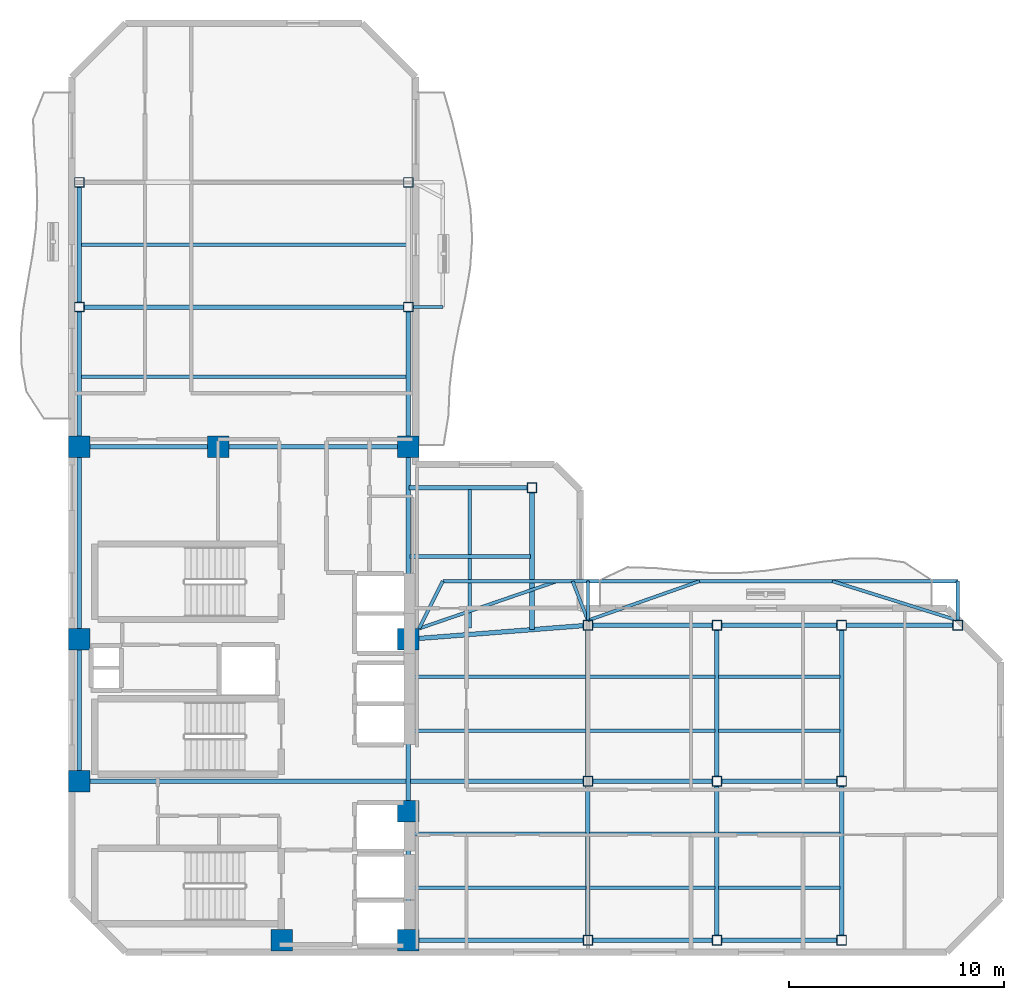
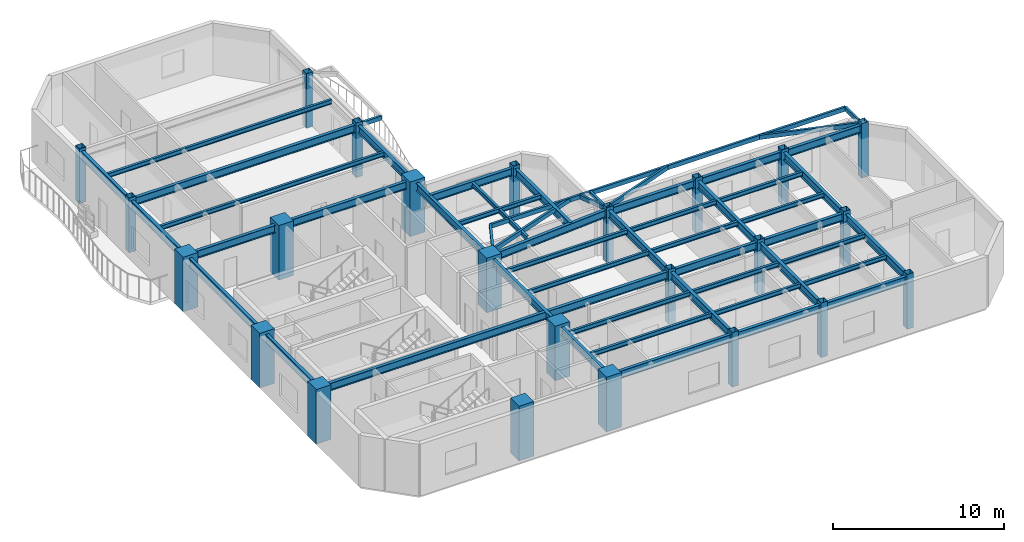
# One storey, part 1 of 9: 55 beams, 24 columns.
"""IFC4 building model written with IfcOpenShell, lengths in metres."""

from ifc_helpers import new_model, si_unit, direction, frame, origin, origin_2d, place, context, subcontext, project, spatial, rectangle, hollow_rectangle, i_section, extrude, material, material_profile, profile_set, type_object, element, save


model = new_model("IFC4")

# Units and contexts
model_context = context("Model", 3, precision=1e-05, world=origin(), true_north=direction((0.0, 1.0)))
body_context = subcontext(model_context, "Body", "Model", "MODEL_VIEW")
ifc_project = project(units=[si_unit("LENGTHUNIT", "METRE"), si_unit("AREAUNIT", "SQUARE_METRE"), si_unit("VOLUMEUNIT", "CUBIC_METRE"), si_unit("PLANEANGLEUNIT", "RADIAN"), si_unit("MASSUNIT", "GRAM", prefix="KILO")], contexts=[model_context])

# Site, building, storey
site_placement = place(None, origin())
site = spatial("IfcSite", under=ifc_project, at=site_placement, CompositionType="ELEMENT")
building_placement = place(site_placement, origin())
building = spatial("IfcBuilding", under=site, at=building_placement, Name="Mawjaban Terraces University", CompositionType="ELEMENT")
storey_placement = place(building_placement, frame((0.0, 0.0, 210.89990234375)))
storey = spatial("IfcBuildingStorey", under=building, at=storey_placement, Name="L51", CompositionType="ELEMENT", Elevation=210.89990234375)

# Columns
ifc_material_1 = material(Name="Concrete C60/75", Category="concrete")
ifc_material_profile_1 = material_profile(ifc_material_1, rectangle(XDim=1.0, YDim=1.0, at=origin_2d()), Name="RC1000X1000")
ifc_profile_set_1 = profile_set([ifc_material_profile_1], Name="Concrete C60/75")
column_type_1 = type_object("IfcColumnType", Name="Col_RC1000X1000", PredefinedType="COLUMN", material=ifc_profile_set_1)
for number, where, z_axis, x_axis, name in (
    (1, (31.75, 0.550048828125, 0.0), (0.0, 0.0, 1.0), (1.0, 0.0, 0.0), "L51 Column CC2"),
    (2, (37.64990234375, 0.550048828125, 0.0), (0.0, 0.0, 1.0), (1.0, 0.0, 0.0), "L51 Column CC3"),
    (3, (22.35009765625, 7.949951171875, 0.0), (0.0, 0.0, 1.0), (1.0, 0.0, 0.0), "L51 Column CC4"),
    (4, (37.64990234375, 6.550048828125, 0.0), (0.0, 0.0, 1.0), (1.0, 0.0, 0.0), "L51 Column CC5"),
    (5, (22.35009765625, 14.550048828125, 0.0), (0.0, 0.0, 1.0), (1.0, 0.0, 0.0), "L51 Column CC6"),
    (6, (37.64990234375, 14.550048828125, 0.0), (0.0, 0.0, 1.0), (1.0, 0.0, 0.0), "L51 Column CC7"),
    (7, (22.35009765625, 23.5, 0.0), (0.0, 0.0, 1.0), (1.0, 0.0, 0.0), "L51 Column CC8"),
    (8, (28.800048828125, 23.5, 0.0), (0.0, 0.0, 1.0), (1.0, 0.0, 0.0), "L51 Column CC9"),
    (9, (37.64990234375, 23.5, 0.0), (0.0, 0.0, 1.0), (1.0, 0.0, 0.0), "L51 Column CC10"),
):
    element("IfcColumn", number, at=place(storey_placement, frame(where, z_axis=z_axis, x_axis=x_axis)), inside=storey, type_object=column_type_1, Name=name, PredefinedType="COLUMN", context=body_context, shape_type="SweptSolid", body=[
        extrude(rectangle(XDim=1.0, YDim=1.0, at=origin_2d()), origin(), (0.0, 0.0, 1.0), 3.900146484375),
    ])
ifc_material_2 = material(Name="Steel EN 10210-1 S355J2H", Category="steel")
ifc_material_profile_2 = material_profile(ifc_material_2, hollow_rectangle(XDim=0.449951171875, YDim=0.449951171875, WallThickness=0.02001953125, at=origin_2d()), Name="SHS450X450X20")
ifc_profile_set_2 = profile_set([ifc_material_profile_2], Name="Steel EN 10210-1 S355J2H")
column_type_2 = type_object("IfcColumnType", Name="Col_SHS450X450X20", PredefinedType="COLUMN", material=ifc_profile_set_2)
for number, where, z_axis, x_axis, name in (
    (10, (46.0, 0.550048828125, 0.0), (0.0, 0.0, 1.0), (1.0, 0.0, 0.0), "L51 Column TE-460-005"),
    (11, (46.0, 7.949951171875, 0.0), (0.0, 0.0, 1.0), (1.0, 0.0, 0.0), "L51 Column TE-460-080"),
    (12, (46.0, 15.199951171875, 0.0), (0.0, 0.0, 1.0), (1.0, 0.0, 0.0), "L51 Column TE-460-152"),
    (13, (52.0, 0.550048828125, 0.0), (0.0, 0.0, 1.0), (1.0, 0.0, 0.0), "L51 Column TE-520-005"),
    (14, (52.0, 7.949951171875, 0.0), (0.0, 0.0, 1.0), (1.0, 0.0, 0.0), "L51 Column TE-520-080"),
    (15, (52.0, 15.199951171875, 0.0), (0.0, 0.0, 1.0), (1.0, 0.0, 0.0), "L51 Column TE-520-152"),
    (16, (57.800048828125, 0.550048828125, 0.0), (0.0, 0.0, 1.0), (1.0, 0.0, 0.0), "L51 Column TE-578-005"),
    (17, (57.800048828125, 7.949951171875, 0.0), (0.0, 0.0, 1.0), (1.0, 0.0, 0.0), "L51 Column TE-578-080"),
    (18, (57.800048828125, 15.199951171875, 0.0), (0.0, 0.0, 1.0), (1.0, 0.0, 0.0), "L51 Column TE-578-152"),
    (19, (63.199951171875, 15.199951171875, 0.0), (0.0, 0.0, 1.0), (1.0, 0.0, 0.0), "L51 Column TE-632-152"),
    (20, (22.35009765625, 30.0, 0.0), (0.0, 0.0, 1.0), (1.0, 0.0, 0.0), "L51 Column TN-223-300"),
    (21, (37.64990234375, 30.0, 0.0), (0.0, 0.0, 1.0), (1.0, 0.0, 0.0), "L51 Column TN-376-300"),
    (22, (22.35009765625, 35.800048828125, 0.0), (0.0, 0.0, 1.0), (1.0, 0.0, 0.0), "L51 Column TN-223-358"),
    (23, (37.64990234375, 35.800048828125, 0.0), (0.0, 0.0, 1.0), (1.0, 0.0, 0.0), "L51 Column TN-376-358"),
    (24, (43.39990234375, 21.60009765625, 0.0), (0.0, 0.0, 1.0), (1.0, 0.0, 0.0), "L51 Column TS-434-216"),
):
    element("IfcColumn", number, at=place(storey_placement, frame(where, z_axis=z_axis, x_axis=x_axis)), inside=storey, type_object=column_type_2, Name=name, PredefinedType="COLUMN", context=body_context, shape_type="SweptSolid", body=[
        extrude(hollow_rectangle(XDim=0.449951171875, YDim=0.449951171875, WallThickness=0.02001953125, at=origin_2d()), origin(), (0.0, 0.0, 1.0), 3.900146484375),
    ])

# Beams
ifc_material_profile_3 = material_profile(ifc_material_2, hollow_rectangle(XDim=0.14990234375, YDim=0.300048828125, WallThickness=0.012451171875, at=origin_2d()), Name="RHS300X150X12.5")
ifc_profile_set_3 = profile_set([ifc_material_profile_3], Name="Steel EN 10210-1 S355J2H")
beam_type_1 = type_object("IfcBeamType", Name="BalconyCantileverSpandrel_RHS", PredefinedType="SPANDREL", material=ifc_profile_set_3)
for number, where, z_axis, x_axis, name in (
    (25, (46.0, 15.425048828125, 3.5400390625), (0.0, 1.0, 0.0), (-1.0, 0.0, 0.0), "L51 Exterior Outrigger BAL-L52-N.1"),
    (26, (63.199951171875, 15.425048828125, 3.5400390625), (0.0, 1.0, 0.0), (-1.0, 0.0, 0.0), "L51 Exterior Outrigger BAL-L52-N.2"),
):
    element("IfcBeam", number, at=place(storey_placement, frame(where, z_axis=z_axis, x_axis=x_axis)), inside=storey, type_object=beam_type_1, Name=name, PredefinedType="SPANDREL", context=body_context, shape_type="SweptSolid", body=[
        extrude(hollow_rectangle(XDim=0.14990234375, YDim=0.300048828125, WallThickness=0.012451171875, at=origin_2d()), origin(), (0.0, 0.0, 1.0), 1.824951171875),
    ])
beam_1_placement = place(storey_placement, frame((46.0, 17.25, 3.5400390625), z_axis=(1.0, 0.0, 0.0), x_axis=(0.0, 1.0, 0.0)))
element("IfcBeam", 27, at=beam_1_placement, inside=storey, type_object=beam_type_1, Name="L51 Exterior Edge Spandrel BAL-L52-N", PredefinedType="SPANDREL", context=body_context, shape_type="SweptSolid", body=[
    extrude(hollow_rectangle(XDim=0.14990234375, YDim=0.300048828125, WallThickness=0.012451171875, at=origin_2d()), origin(), (0.0, 0.0, 1.0), 17.199951171875),
])
beam_2_placement = place(storey_placement, frame((46.0, 15.425048828125, 3.5400390625), z_axis=(0.943279424161, 0.331999891497, 0.0), x_axis=(-0.331999891497, 0.943279424161, 0.0)))
element("IfcBeam", 28, at=beam_2_placement, inside=storey, type_object=beam_type_1, Name="L51 Exterior Diagonal Strut BAL-L52-N.1", PredefinedType="SPANDREL", context=body_context, shape_type="SweptSolid", body=[
    extrude(hollow_rectangle(XDim=0.14990234375, YDim=0.300048828125, WallThickness=0.012451171875, at=origin_2d()), origin(), (0.0, 0.0, 1.0), 5.496826171875),
])
beam_3_placement = place(storey_placement, frame((63.199951171875, 15.425048828125, 3.5400390625), z_axis=(-0.954408895032, 0.298502363614, 0.0), x_axis=(-0.298502363614, -0.954408895032, 0.0)))
element("IfcBeam", 29, at=beam_3_placement, inside=storey, type_object=beam_type_1, Name="L51 Exterior Diagonal Strut BAL-L52-N.2", PredefinedType="SPANDREL", context=body_context, shape_type="SweptSolid", body=[
    extrude(hollow_rectangle(XDim=0.14990234375, YDim=0.300048828125, WallThickness=0.012451171875, at=origin_2d()), origin(), (0.0, 0.0, 1.0), 6.11376953125),
])
beam_4_placement = place(storey_placement, frame((37.875, 30.0, 3.5400390625), z_axis=(1.0, 0.0, 0.0), x_axis=(0.0, 1.0, 0.0)))
element("IfcBeam", 30, at=beam_4_placement, inside=storey, type_object=beam_type_1, Name="L51 Exterior Outrigger BAL-L52-E.1", PredefinedType="SPANDREL", context=body_context, shape_type="SweptSolid", body=[
    extrude(hollow_rectangle(XDim=0.14990234375, YDim=0.300048828125, WallThickness=0.012451171875, at=origin_2d()), origin(), (0.0, 0.0, 1.0), 1.375),
])
beam_5_placement = place(storey_placement, frame((38.14990234375, 15.050048828125, 3.5400390625), z_axis=(0.447253297971, 0.894407338663, 0.0), x_axis=(-0.894407338663, 0.447253297971, 0.0)))
element("IfcBeam", 31, at=beam_5_placement, inside=storey, type_object=beam_type_1, Name="L51 Corner Outrigger TER-L52-CLIMB", PredefinedType="SPANDREL", context=body_context, shape_type="SweptSolid", body=[
    extrude(hollow_rectangle(XDim=0.14990234375, YDim=0.300048828125, WallThickness=0.012451171875, at=origin_2d()), origin(), (0.0, 0.0, 1.0), 2.459716796875),
])
beam_6_placement = place(storey_placement, frame((39.25, 17.25, 3.5400390625), z_axis=(1.0, 0.0, 0.0), x_axis=(0.0, 1.0, 0.0)))
element("IfcBeam", 32, at=beam_6_placement, inside=storey, type_object=beam_type_1, Name="L51 Exterior Edge Spandrel TER-L52-CLIMB", PredefinedType="SPANDREL", context=body_context, shape_type="SweptSolid", body=[
    extrude(hollow_rectangle(XDim=0.14990234375, YDim=0.300048828125, WallThickness=0.012451171875, at=origin_2d()), origin(), (0.0, 0.0, 1.0), 6.75),
])
beam_7_placement = place(storey_placement, frame((38.14990234375, 15.050048828125, 3.5400390625), z_axis=(0.945877421541, 0.324524118394, 0.0), x_axis=(-0.324524118394, 0.945877421541, 0.0)))
element("IfcBeam", 33, at=beam_7_placement, inside=storey, type_object=beam_type_1, Name="L51 Exterior Diagonal Strut TER-L52-CLIMB.1", PredefinedType="SPANDREL", context=body_context, shape_type="SweptSolid", body=[
    extrude(hollow_rectangle(XDim=0.14990234375, YDim=0.300048828125, WallThickness=0.012451171875, at=origin_2d()), origin(), (0.0, 0.0, 1.0), 6.779052734375),
])
beam_8_placement = place(storey_placement, frame((46.0, 15.425048828125, 3.5400390625), z_axis=(-0.363426408584, 0.931622909521, 0.0), x_axis=(-0.931622909521, -0.363426408584, 0.0)))
element("IfcBeam", 34, at=beam_8_placement, inside=storey, type_object=beam_type_1, Name="L51 Exterior Diagonal Strut TER-L52-CLIMB.2", PredefinedType="SPANDREL", context=body_context, shape_type="SweptSolid", body=[
    extrude(hollow_rectangle(XDim=0.14990234375, YDim=0.300048828125, WallThickness=0.012451171875, at=origin_2d()), origin(), (0.0, 0.0, 1.0), 1.958984375),
])
ifc_material_3 = material(Name="Steel ASTM A572 Grade 50", Category="steel")
ifc_material_profile_4 = material_profile(ifc_material_3, i_section(OverallWidth=0.2119140625, OverallDepth=0.5439453125, WebThickness=0.01318359375, FlangeThickness=0.021240234375, at=origin_2d()), Name="W530X123")
ifc_profile_set_4 = profile_set([ifc_material_profile_4], Name="Steel ASTM A572 Grade 50")
beam_type_2 = type_object("IfcBeamType", Name="Beam_B_W530X123", PredefinedType="BEAM", material=ifc_profile_set_4)
beam_9_placement = place(storey_placement, frame((38.14990234375, 0.550048828125, 3.418212890625), z_axis=(1.0, 0.0, 0.0), x_axis=(0.0, 1.0, 0.0)))
element("IfcBeam", 35, at=beam_9_placement, inside=storey, type_object=beam_type_2, Name="L51 Beam BM-L51-EW-01", PredefinedType="BEAM", context=body_context, shape_type="SweptSolid", body=[
    extrude(i_section(OverallWidth=0.2119140625, OverallDepth=0.5439453125, WebThickness=0.01318359375, FlangeThickness=0.021240234375, at=origin_2d()), origin(), (0.0, 0.0, 1.0), 7.625),
])
beam_10_placement = place(storey_placement, frame((46.22509765625, 0.550048828125, 3.418212890625), z_axis=(1.0, 0.0, 0.0), x_axis=(0.0, 1.0, 0.0)))
element("IfcBeam", 36, at=beam_10_placement, inside=storey, type_object=beam_type_2, Name="L51 Beam BM-L51-EW-02", PredefinedType="BEAM", context=body_context, shape_type="SweptSolid", body=[
    extrude(i_section(OverallWidth=0.2119140625, OverallDepth=0.5439453125, WebThickness=0.01318359375, FlangeThickness=0.021240234375, at=origin_2d()), origin(), (0.0, 0.0, 1.0), 5.5498046875),
])
beam_11_placement = place(storey_placement, frame((52.22509765625, 0.550048828125, 3.418212890625), z_axis=(1.0, 0.0, 0.0), x_axis=(0.0, 1.0, 0.0)))
element("IfcBeam", 37, at=beam_11_placement, inside=storey, type_object=beam_type_2, Name="L51 Beam BM-L51-EW-03", PredefinedType="BEAM", context=body_context, shape_type="SweptSolid", body=[
    extrude(i_section(OverallWidth=0.2119140625, OverallDepth=0.5439453125, WebThickness=0.01318359375, FlangeThickness=0.021240234375, at=origin_2d()), origin(), (0.0, 0.0, 1.0), 5.349853515625),
])
beam_12_placement = place(storey_placement, frame((22.85009765625, 7.949951171875, 3.418212890625), z_axis=(1.0, 0.0, 0.0), x_axis=(0.0, 1.0, 0.0)))
element("IfcBeam", 38, at=beam_12_placement, inside=storey, type_object=beam_type_2, Name="L51 Beam BM-L51-EW-04", PredefinedType="BEAM", context=body_context, shape_type="SweptSolid", body=[
    extrude(i_section(OverallWidth=0.2119140625, OverallDepth=0.5439453125, WebThickness=0.01318359375, FlangeThickness=0.021240234375, at=origin_2d()), origin(), (0.0, 0.0, 1.0), 22.9248046875),
])
beam_13_placement = place(storey_placement, frame((46.22509765625, 7.949951171875, 3.418212890625), z_axis=(1.0, 0.0, 0.0), x_axis=(0.0, 1.0, 0.0)))
element("IfcBeam", 39, at=beam_13_placement, inside=storey, type_object=beam_type_2, Name="L51 Beam BM-L51-EW-05", PredefinedType="BEAM", context=body_context, shape_type="SweptSolid", body=[
    extrude(i_section(OverallWidth=0.2119140625, OverallDepth=0.5439453125, WebThickness=0.01318359375, FlangeThickness=0.021240234375, at=origin_2d()), origin(), (0.0, 0.0, 1.0), 5.5498046875),
])
beam_14_placement = place(storey_placement, frame((52.22509765625, 7.949951171875, 3.418212890625), z_axis=(1.0, 0.0, 0.0), x_axis=(0.0, 1.0, 0.0)))
element("IfcBeam", 40, at=beam_14_placement, inside=storey, type_object=beam_type_2, Name="L51 Beam BM-L51-EW-06", PredefinedType="BEAM", context=body_context, shape_type="SweptSolid", body=[
    extrude(i_section(OverallWidth=0.2119140625, OverallDepth=0.5439453125, WebThickness=0.01318359375, FlangeThickness=0.021240234375, at=origin_2d()), origin(), (0.0, 0.0, 1.0), 5.349853515625),
])
beam_15_placement = place(storey_placement, frame((46.22509765625, 15.199951171875, 3.418212890625), z_axis=(1.0, 0.0, 0.0), x_axis=(0.0, 1.0, 0.0)))
element("IfcBeam", 41, at=beam_15_placement, inside=storey, type_object=beam_type_2, Name="L51 Beam BM-L51-EW-07", PredefinedType="BEAM", context=body_context, shape_type="SweptSolid", body=[
    extrude(i_section(OverallWidth=0.2119140625, OverallDepth=0.5439453125, WebThickness=0.01318359375, FlangeThickness=0.021240234375, at=origin_2d()), origin(), (0.0, 0.0, 1.0), 5.5498046875),
])
beam_16_placement = place(storey_placement, frame((52.22509765625, 15.199951171875, 3.418212890625), z_axis=(1.0, 0.0, 0.0), x_axis=(0.0, 1.0, 0.0)))
element("IfcBeam", 42, at=beam_16_placement, inside=storey, type_object=beam_type_2, Name="L51 Beam BM-L51-EW-08", PredefinedType="BEAM", context=body_context, shape_type="SweptSolid", body=[
    extrude(i_section(OverallWidth=0.2119140625, OverallDepth=0.5439453125, WebThickness=0.01318359375, FlangeThickness=0.021240234375, at=origin_2d()), origin(), (0.0, 0.0, 1.0), 5.349853515625),
])
beam_17_placement = place(storey_placement, frame((58.02490234375, 15.199951171875, 3.418212890625), z_axis=(1.0, 0.0, 0.0), x_axis=(0.0, 1.0, 0.0)))
element("IfcBeam", 43, at=beam_17_placement, inside=storey, type_object=beam_type_2, Name="L51 Beam BM-L51-EW-09", PredefinedType="BEAM", context=body_context, shape_type="SweptSolid", body=[
    extrude(i_section(OverallWidth=0.2119140625, OverallDepth=0.5439453125, WebThickness=0.01318359375, FlangeThickness=0.021240234375, at=origin_2d()), origin(), (0.0, 0.0, 1.0), 4.9501953125),
])
beam_18_placement = place(storey_placement, frame((22.85009765625, 23.5, 3.418212890625), z_axis=(1.0, 0.0, 0.0), x_axis=(0.0, 1.0, 0.0)))
element("IfcBeam", 44, at=beam_18_placement, inside=storey, type_object=beam_type_2, Name="L51 Beam BM-L51-EW-10", PredefinedType="BEAM", context=body_context, shape_type="SweptSolid", body=[
    extrude(i_section(OverallWidth=0.2119140625, OverallDepth=0.5439453125, WebThickness=0.01318359375, FlangeThickness=0.021240234375, at=origin_2d()), origin(), (0.0, 0.0, 1.0), 5.449951171875),
])
beam_19_placement = place(storey_placement, frame((29.300048828125, 23.5, 3.418212890625), z_axis=(1.0, 0.0, 0.0), x_axis=(0.0, 1.0, 0.0)))
element("IfcBeam", 45, at=beam_19_placement, inside=storey, type_object=beam_type_2, Name="L51 Beam BM-L51-EW-11", PredefinedType="BEAM", context=body_context, shape_type="SweptSolid", body=[
    extrude(i_section(OverallWidth=0.2119140625, OverallDepth=0.5439453125, WebThickness=0.01318359375, FlangeThickness=0.021240234375, at=origin_2d()), origin(), (0.0, 0.0, 1.0), 7.849853515625),
])
beam_20_placement = place(storey_placement, frame((22.574951171875, 30.0, 3.418212890625), z_axis=(1.0, 0.0, 0.0), x_axis=(0.0, 1.0, 0.0)))
element("IfcBeam", 46, at=beam_20_placement, inside=storey, type_object=beam_type_2, Name="L51 Beam BM-L51-EW-12", PredefinedType="BEAM", context=body_context, shape_type="SweptSolid", body=[
    extrude(i_section(OverallWidth=0.2119140625, OverallDepth=0.5439453125, WebThickness=0.01318359375, FlangeThickness=0.021240234375, at=origin_2d()), origin(), (0.0, 0.0, 1.0), 14.85009765625),
])
beam_21_placement = place(storey_placement, frame((22.35009765625, 8.449951171875, 3.418212890625), z_axis=(0.0, 1.0, 0.0), x_axis=(-1.0, 0.0, 0.0)))
element("IfcBeam", 47, at=beam_21_placement, inside=storey, type_object=beam_type_2, Name="L51 Beam BM-L51-NS-01", PredefinedType="BEAM", context=body_context, shape_type="SweptSolid", body=[
    extrude(i_section(OverallWidth=0.2119140625, OverallDepth=0.5439453125, WebThickness=0.01318359375, FlangeThickness=0.021240234375, at=origin_2d()), origin(), (0.0, 0.0, 1.0), 5.60009765625),
])
beam_22_placement = place(storey_placement, frame((22.35009765625, 15.050048828125, 3.418212890625), z_axis=(0.0, 1.0, 0.0), x_axis=(-1.0, 0.0, 0.0)))
element("IfcBeam", 48, at=beam_22_placement, inside=storey, type_object=beam_type_2, Name="L51 Beam BM-L51-NS-02", PredefinedType="BEAM", context=body_context, shape_type="SweptSolid", body=[
    extrude(i_section(OverallWidth=0.2119140625, OverallDepth=0.5439453125, WebThickness=0.01318359375, FlangeThickness=0.021240234375, at=origin_2d()), origin(), (0.0, 0.0, 1.0), 7.949951171875),
])
beam_23_placement = place(storey_placement, frame((22.35009765625, 24.0, 3.418212890625), z_axis=(0.0, 1.0, 0.0), x_axis=(-1.0, 0.0, 0.0)))
element("IfcBeam", 49, at=beam_23_placement, inside=storey, type_object=beam_type_2, Name="L51 Beam BM-L51-NS-03", PredefinedType="BEAM", context=body_context, shape_type="SweptSolid", body=[
    extrude(i_section(OverallWidth=0.2119140625, OverallDepth=0.5439453125, WebThickness=0.01318359375, FlangeThickness=0.021240234375, at=origin_2d()), origin(), (0.0, 0.0, 1.0), 5.77490234375),
])
beam_24_placement = place(storey_placement, frame((22.35009765625, 30.22509765625, 3.418212890625), z_axis=(0.0, 1.0, 0.0), x_axis=(-1.0, 0.0, 0.0)))
element("IfcBeam", 50, at=beam_24_placement, inside=storey, type_object=beam_type_2, Name="L51 Beam BM-L51-NS-04", PredefinedType="BEAM", context=body_context, shape_type="SweptSolid", body=[
    extrude(i_section(OverallWidth=0.2119140625, OverallDepth=0.5439453125, WebThickness=0.01318359375, FlangeThickness=0.021240234375, at=origin_2d()), origin(), (0.0, 0.0, 1.0), 5.349853515625),
])
beam_25_placement = place(storey_placement, frame((37.64990234375, 1.050048828125, 3.418212890625), z_axis=(0.0, 1.0, 0.0), x_axis=(-1.0, 0.0, 0.0)))
element("IfcBeam", 51, at=beam_25_placement, inside=storey, type_object=beam_type_2, Name="L51 Beam BM-L51-NS-05", PredefinedType="BEAM", context=body_context, shape_type="SweptSolid", body=[
    extrude(i_section(OverallWidth=0.2119140625, OverallDepth=0.5439453125, WebThickness=0.01318359375, FlangeThickness=0.021240234375, at=origin_2d()), origin(), (0.0, 0.0, 1.0), 5.0),
])
beam_26_placement = place(storey_placement, frame((37.64990234375, 7.050048828125, 3.418212890625), z_axis=(0.0, 1.0, 0.0), x_axis=(-1.0, 0.0, 0.0)))
element("IfcBeam", 52, at=beam_26_placement, inside=storey, type_object=beam_type_2, Name="L51 Beam BM-L51-NS-06", PredefinedType="BEAM", context=body_context, shape_type="SweptSolid", body=[
    extrude(i_section(OverallWidth=0.2119140625, OverallDepth=0.5439453125, WebThickness=0.01318359375, FlangeThickness=0.021240234375, at=origin_2d()), origin(), (0.0, 0.0, 1.0), 7.0),
])
beam_27_placement = place(storey_placement, frame((37.64990234375, 15.050048828125, 3.418212890625), z_axis=(0.0, 1.0, 0.0), x_axis=(-1.0, 0.0, 0.0)))
element("IfcBeam", 53, at=beam_27_placement, inside=storey, type_object=beam_type_2, Name="L51 Beam BM-L51-NS-07", PredefinedType="BEAM", context=body_context, shape_type="SweptSolid", body=[
    extrude(i_section(OverallWidth=0.2119140625, OverallDepth=0.5439453125, WebThickness=0.01318359375, FlangeThickness=0.021240234375, at=origin_2d()), origin(), (0.0, 0.0, 1.0), 7.949951171875),
])
beam_28_placement = place(storey_placement, frame((37.64990234375, 24.0, 3.418212890625), z_axis=(0.0, 1.0, 0.0), x_axis=(-1.0, 0.0, 0.0)))
element("IfcBeam", 54, at=beam_28_placement, inside=storey, type_object=beam_type_2, Name="L51 Beam BM-L51-NS-08", PredefinedType="BEAM", context=body_context, shape_type="SweptSolid", body=[
    extrude(i_section(OverallWidth=0.2119140625, OverallDepth=0.5439453125, WebThickness=0.01318359375, FlangeThickness=0.021240234375, at=origin_2d()), origin(), (0.0, 0.0, 1.0), 5.77490234375),
])
beam_29_placement = place(storey_placement, frame((46.0, 0.77490234375, 3.418212890625), z_axis=(0.0, 1.0, 0.0), x_axis=(-1.0, 0.0, 0.0)))
element("IfcBeam", 55, at=beam_29_placement, inside=storey, type_object=beam_type_2, Name="L51 Beam BM-L51-NS-10", PredefinedType="BEAM", context=body_context, shape_type="SweptSolid", body=[
    extrude(i_section(OverallWidth=0.2119140625, OverallDepth=0.5439453125, WebThickness=0.01318359375, FlangeThickness=0.021240234375, at=origin_2d()), origin(), (0.0, 0.0, 1.0), 6.9501953125),
])
beam_30_placement = place(storey_placement, frame((46.0, 8.175048828125, 3.418212890625), z_axis=(0.0, 1.0, 0.0), x_axis=(-1.0, 0.0, 0.0)))
element("IfcBeam", 56, at=beam_30_placement, inside=storey, type_object=beam_type_2, Name="L51 Beam BM-L51-NS-11", PredefinedType="BEAM", context=body_context, shape_type="SweptSolid", body=[
    extrude(i_section(OverallWidth=0.2119140625, OverallDepth=0.5439453125, WebThickness=0.01318359375, FlangeThickness=0.021240234375, at=origin_2d()), origin(), (0.0, 0.0, 1.0), 6.800048828125),
])
beam_31_placement = place(storey_placement, frame((52.0, 0.77490234375, 3.418212890625), z_axis=(0.0, 1.0, 0.0), x_axis=(-1.0, 0.0, 0.0)))
element("IfcBeam", 57, at=beam_31_placement, inside=storey, type_object=beam_type_2, Name="L51 Beam BM-L51-NS-12", PredefinedType="BEAM", context=body_context, shape_type="SweptSolid", body=[
    extrude(i_section(OverallWidth=0.2119140625, OverallDepth=0.5439453125, WebThickness=0.01318359375, FlangeThickness=0.021240234375, at=origin_2d()), origin(), (0.0, 0.0, 1.0), 6.9501953125),
])
beam_32_placement = place(storey_placement, frame((52.0, 8.175048828125, 3.418212890625), z_axis=(0.0, 1.0, 0.0), x_axis=(-1.0, 0.0, 0.0)))
element("IfcBeam", 58, at=beam_32_placement, inside=storey, type_object=beam_type_2, Name="L51 Beam BM-L51-NS-13", PredefinedType="BEAM", context=body_context, shape_type="SweptSolid", body=[
    extrude(i_section(OverallWidth=0.2119140625, OverallDepth=0.5439453125, WebThickness=0.01318359375, FlangeThickness=0.021240234375, at=origin_2d()), origin(), (0.0, 0.0, 1.0), 6.800048828125),
])
beam_33_placement = place(storey_placement, frame((57.800048828125, 0.77490234375, 3.418212890625), z_axis=(0.0, 1.0, 0.0), x_axis=(-1.0, 0.0, 0.0)))
element("IfcBeam", 59, at=beam_33_placement, inside=storey, type_object=beam_type_2, Name="L51 Beam BM-L51-NS-14", PredefinedType="BEAM", context=body_context, shape_type="SweptSolid", body=[
    extrude(i_section(OverallWidth=0.2119140625, OverallDepth=0.5439453125, WebThickness=0.01318359375, FlangeThickness=0.021240234375, at=origin_2d()), origin(), (0.0, 0.0, 1.0), 6.9501953125),
])
beam_34_placement = place(storey_placement, frame((57.800048828125, 8.175048828125, 3.418212890625), z_axis=(0.0, 1.0, 0.0), x_axis=(-1.0, 0.0, 0.0)))
element("IfcBeam", 60, at=beam_34_placement, inside=storey, type_object=beam_type_2, Name="L51 Beam BM-L51-NS-15", PredefinedType="BEAM", context=body_context, shape_type="SweptSolid", body=[
    extrude(i_section(OverallWidth=0.2119140625, OverallDepth=0.5439453125, WebThickness=0.01318359375, FlangeThickness=0.021240234375, at=origin_2d()), origin(), (0.0, 0.0, 1.0), 6.800048828125),
])
beam_35_placement = place(storey_placement, frame((38.14794921875, 14.589111328125, 3.418212890625), z_axis=(0.99698177718, 0.077635919341, 0.0), x_axis=(-0.077635919341, 0.99698177718, 0.0)))
element("IfcBeam", 61, at=beam_35_placement, inside=storey, type_object=beam_type_2, Name="L51 Beam BM-L51-CTIE", PredefinedType="BEAM", context=body_context, shape_type="SweptSolid", body=[
    extrude(i_section(OverallWidth=0.2119140625, OverallDepth=0.5439453125, WebThickness=0.01318359375, FlangeThickness=0.021240234375, at=origin_2d()), origin(), (0.0, 0.0, 1.0), 7.651123046875),
])
beam_36_placement = place(storey_placement, frame((37.679931640625, 21.60009765625, 3.418212890625), z_axis=(1.0, 0.0, 0.0), x_axis=(0.0, 1.0, 0.0)))
element("IfcBeam", 62, at=beam_36_placement, inside=storey, type_object=beam_type_2, Name="L51 Spur Tie Girder West", PredefinedType="BEAM", context=body_context, shape_type="SweptSolid", body=[
    extrude(i_section(OverallWidth=0.2119140625, OverallDepth=0.5439453125, WebThickness=0.01318359375, FlangeThickness=0.021240234375, at=origin_2d()), origin(), (0.0, 0.0, 1.0), 5.4951171875),
])
beam_37_placement = place(storey_placement, frame((43.39990234375, 15.0, 3.418212890625), z_axis=(0.0, 1.0, 0.0), x_axis=(-1.0, 0.0, 0.0)))
element("IfcBeam", 63, at=beam_37_placement, inside=storey, type_object=beam_type_2, Name="L51 Spur Tie Girder South", PredefinedType="BEAM", context=body_context, shape_type="SweptSolid", body=[
    extrude(i_section(OverallWidth=0.2119140625, OverallDepth=0.5439453125, WebThickness=0.01318359375, FlangeThickness=0.021240234375, at=origin_2d()), origin(), (0.0, 0.0, 1.0), 6.375),
])
ifc_material_profile_5 = material_profile(ifc_material_3, i_section(OverallWidth=0.1669921875, OverallDepth=0.318115234375, WebThickness=0.007568359375, FlangeThickness=0.01318359375, at=origin_2d()), Name="W310X52")
ifc_profile_set_5 = profile_set([ifc_material_profile_5], Name="Steel ASTM A572 Grade 50")
beam_type_3 = type_object("IfcBeamType", Name="Beam_J_W310X52", PredefinedType="JOIST", material=ifc_profile_set_5)
beam_38_placement = place(storey_placement, frame((37.72998046875, 3.0, 3.531005859375), z_axis=(1.0, 0.0, 0.0), x_axis=(0.0, 1.0, 0.0)))
element("IfcBeam", 64, at=beam_38_placement, inside=storey, type_object=beam_type_3, Name="L51 Composite Joist JST-L51-01", PredefinedType="JOIST", context=body_context, shape_type="SweptSolid", body=[
    extrude(i_section(OverallWidth=0.1669921875, OverallDepth=0.318115234375, WebThickness=0.007568359375, FlangeThickness=0.01318359375, at=origin_2d()), origin(), (0.0, 0.0, 1.0), 8.18994140625),
])
beam_39_placement = place(storey_placement, frame((46.080078125, 3.0, 3.531005859375), z_axis=(1.0, 0.0, 0.0), x_axis=(0.0, 1.0, 0.0)))
element("IfcBeam", 65, at=beam_39_placement, inside=storey, type_object=beam_type_3, Name="L51 Composite Joist JST-L51-02", PredefinedType="JOIST", context=body_context, shape_type="SweptSolid", body=[
    extrude(i_section(OverallWidth=0.1669921875, OverallDepth=0.318115234375, WebThickness=0.007568359375, FlangeThickness=0.01318359375, at=origin_2d()), origin(), (0.0, 0.0, 1.0), 5.83984375),
])
beam_40_placement = place(storey_placement, frame((52.080078125, 3.0, 3.531005859375), z_axis=(1.0, 0.0, 0.0), x_axis=(0.0, 1.0, 0.0)))
element("IfcBeam", 66, at=beam_40_placement, inside=storey, type_object=beam_type_3, Name="L51 Composite Joist JST-L51-03", PredefinedType="JOIST", context=body_context, shape_type="SweptSolid", body=[
    extrude(i_section(OverallWidth=0.1669921875, OverallDepth=0.318115234375, WebThickness=0.007568359375, FlangeThickness=0.01318359375, at=origin_2d()), origin(), (0.0, 0.0, 1.0), 5.639892578125),
])
beam_41_placement = place(storey_placement, frame((37.72998046875, 5.5, 3.531005859375), z_axis=(1.0, 0.0, 0.0), x_axis=(0.0, 1.0, 0.0)))
element("IfcBeam", 67, at=beam_41_placement, inside=storey, type_object=beam_type_3, Name="L51 Composite Joist JST-L51-04", PredefinedType="JOIST", context=body_context, shape_type="SweptSolid", body=[
    extrude(i_section(OverallWidth=0.1669921875, OverallDepth=0.318115234375, WebThickness=0.007568359375, FlangeThickness=0.01318359375, at=origin_2d()), origin(), (0.0, 0.0, 1.0), 8.18994140625),
])
beam_42_placement = place(storey_placement, frame((46.080078125, 5.5, 3.531005859375), z_axis=(1.0, 0.0, 0.0), x_axis=(0.0, 1.0, 0.0)))
element("IfcBeam", 68, at=beam_42_placement, inside=storey, type_object=beam_type_3, Name="L51 Composite Joist JST-L51-05", PredefinedType="JOIST", context=body_context, shape_type="SweptSolid", body=[
    extrude(i_section(OverallWidth=0.1669921875, OverallDepth=0.318115234375, WebThickness=0.007568359375, FlangeThickness=0.01318359375, at=origin_2d()), origin(), (0.0, 0.0, 1.0), 5.83984375),
])
beam_43_placement = place(storey_placement, frame((52.080078125, 5.5, 3.531005859375), z_axis=(1.0, 0.0, 0.0), x_axis=(0.0, 1.0, 0.0)))
element("IfcBeam", 69, at=beam_43_placement, inside=storey, type_object=beam_type_3, Name="L51 Composite Joist JST-L51-06", PredefinedType="JOIST", context=body_context, shape_type="SweptSolid", body=[
    extrude(i_section(OverallWidth=0.1669921875, OverallDepth=0.318115234375, WebThickness=0.007568359375, FlangeThickness=0.01318359375, at=origin_2d()), origin(), (0.0, 0.0, 1.0), 5.639892578125),
])
beam_44_placement = place(storey_placement, frame((37.72998046875, 10.300048828125, 3.531005859375), z_axis=(1.0, 0.0, 0.0), x_axis=(0.0, 1.0, 0.0)))
element("IfcBeam", 70, at=beam_44_placement, inside=storey, type_object=beam_type_3, Name="L51 Composite Joist JST-L51-07", PredefinedType="JOIST", context=body_context, shape_type="SweptSolid", body=[
    extrude(i_section(OverallWidth=0.1669921875, OverallDepth=0.318115234375, WebThickness=0.007568359375, FlangeThickness=0.01318359375, at=origin_2d()), origin(), (0.0, 0.0, 1.0), 8.18994140625),
])
beam_45_placement = place(storey_placement, frame((46.080078125, 10.300048828125, 3.531005859375), z_axis=(1.0, 0.0, 0.0), x_axis=(0.0, 1.0, 0.0)))
element("IfcBeam", 71, at=beam_45_placement, inside=storey, type_object=beam_type_3, Name="L51 Composite Joist JST-L51-08", PredefinedType="JOIST", context=body_context, shape_type="SweptSolid", body=[
    extrude(i_section(OverallWidth=0.1669921875, OverallDepth=0.318115234375, WebThickness=0.007568359375, FlangeThickness=0.01318359375, at=origin_2d()), origin(), (0.0, 0.0, 1.0), 5.83984375),
])
beam_46_placement = place(storey_placement, frame((52.080078125, 10.300048828125, 3.531005859375), z_axis=(1.0, 0.0, 0.0), x_axis=(0.0, 1.0, 0.0)))
element("IfcBeam", 72, at=beam_46_placement, inside=storey, type_object=beam_type_3, Name="L51 Composite Joist JST-L51-09", PredefinedType="JOIST", context=body_context, shape_type="SweptSolid", body=[
    extrude(i_section(OverallWidth=0.1669921875, OverallDepth=0.318115234375, WebThickness=0.007568359375, FlangeThickness=0.01318359375, at=origin_2d()), origin(), (0.0, 0.0, 1.0), 5.639892578125),
])
beam_47_placement = place(storey_placement, frame((37.72998046875, 12.800048828125, 3.531005859375), z_axis=(1.0, 0.0, 0.0), x_axis=(0.0, 1.0, 0.0)))
element("IfcBeam", 73, at=beam_47_placement, inside=storey, type_object=beam_type_3, Name="L51 Composite Joist JST-L51-10", PredefinedType="JOIST", context=body_context, shape_type="SweptSolid", body=[
    extrude(i_section(OverallWidth=0.1669921875, OverallDepth=0.318115234375, WebThickness=0.007568359375, FlangeThickness=0.01318359375, at=origin_2d()), origin(), (0.0, 0.0, 1.0), 8.18994140625),
])
beam_48_placement = place(storey_placement, frame((46.080078125, 12.800048828125, 3.531005859375), z_axis=(1.0, 0.0, 0.0), x_axis=(0.0, 1.0, 0.0)))
element("IfcBeam", 74, at=beam_48_placement, inside=storey, type_object=beam_type_3, Name="L51 Composite Joist JST-L51-11", PredefinedType="JOIST", context=body_context, shape_type="SweptSolid", body=[
    extrude(i_section(OverallWidth=0.1669921875, OverallDepth=0.318115234375, WebThickness=0.007568359375, FlangeThickness=0.01318359375, at=origin_2d()), origin(), (0.0, 0.0, 1.0), 5.83984375),
])
beam_49_placement = place(storey_placement, frame((52.080078125, 12.800048828125, 3.531005859375), z_axis=(1.0, 0.0, 0.0), x_axis=(0.0, 1.0, 0.0)))
element("IfcBeam", 75, at=beam_49_placement, inside=storey, type_object=beam_type_3, Name="L51 Composite Joist JST-L51-12", PredefinedType="JOIST", context=body_context, shape_type="SweptSolid", body=[
    extrude(i_section(OverallWidth=0.1669921875, OverallDepth=0.318115234375, WebThickness=0.007568359375, FlangeThickness=0.01318359375, at=origin_2d()), origin(), (0.0, 0.0, 1.0), 5.639892578125),
])
beam_50_placement = place(storey_placement, frame((37.72998046875, 18.39990234375, 3.531005859375), z_axis=(1.0, 0.0, 0.0), x_axis=(0.0, 1.0, 0.0)))
element("IfcBeam", 76, at=beam_50_placement, inside=storey, type_object=beam_type_3, Name="L51 Composite Joist JST-L51-13", PredefinedType="JOIST", context=body_context, shape_type="SweptSolid", body=[
    extrude(i_section(OverallWidth=0.1669921875, OverallDepth=0.318115234375, WebThickness=0.007568359375, FlangeThickness=0.01318359375, at=origin_2d()), origin(), (0.0, 0.0, 1.0), 5.590087890625),
])
for number, where, z_axis, x_axis, name in (
    (77, (22.429931640625, 26.75, 3.531005859375), (1.0, 0.0, 0.0), (0.0, 1.0, 0.0), "L51 Composite Joist JST-L51-14"),
    (78, (22.429931640625, 32.89990234375, 3.531005859375), (1.0, 0.0, 0.0), (0.0, 1.0, 0.0), "L51 Composite Joist JST-L51-15"),
):
    element("IfcBeam", number, at=place(storey_placement, frame(where, z_axis=z_axis, x_axis=x_axis)), inside=storey, type_object=beam_type_3, Name=name, PredefinedType="JOIST", context=body_context, shape_type="SweptSolid", body=[
        extrude(i_section(OverallWidth=0.1669921875, OverallDepth=0.318115234375, WebThickness=0.007568359375, FlangeThickness=0.01318359375, at=origin_2d()), origin(), (0.0, 0.0, 1.0), 15.14013671875),
    ])
beam_51_placement = place(storey_placement, frame((40.5, 15.080078125, 3.531005859375), z_axis=(0.0, 1.0, 0.0), x_axis=(-1.0, 0.0, 0.0)))
element("IfcBeam", 79, at=beam_51_placement, inside=storey, type_object=beam_type_3, Name="L51 Composite Joist JST-L51-NS-16", PredefinedType="JOIST", context=body_context, shape_type="SweptSolid", body=[
    extrude(i_section(OverallWidth=0.1669921875, OverallDepth=0.318115234375, WebThickness=0.007568359375, FlangeThickness=0.01318359375, at=origin_2d()), origin(), (0.0, 0.0, 1.0), 6.43994140625),
])

save(model, "model.ifc")
